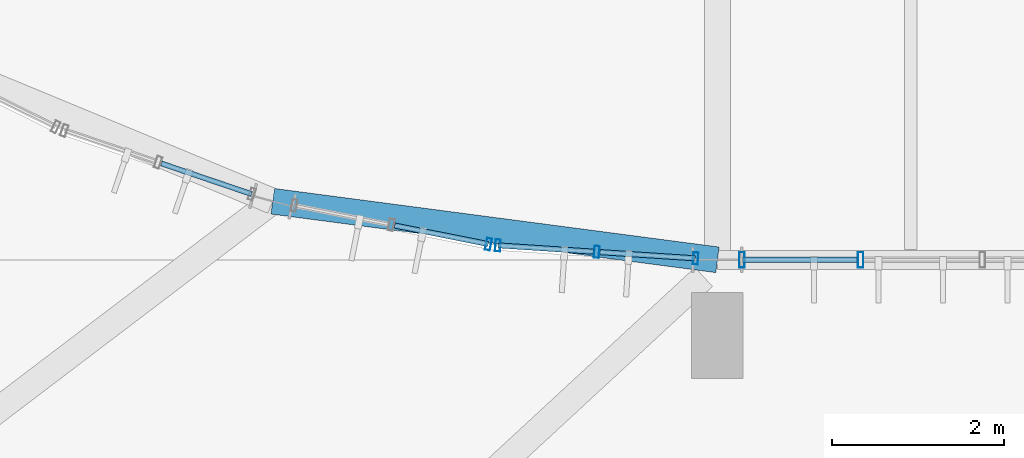
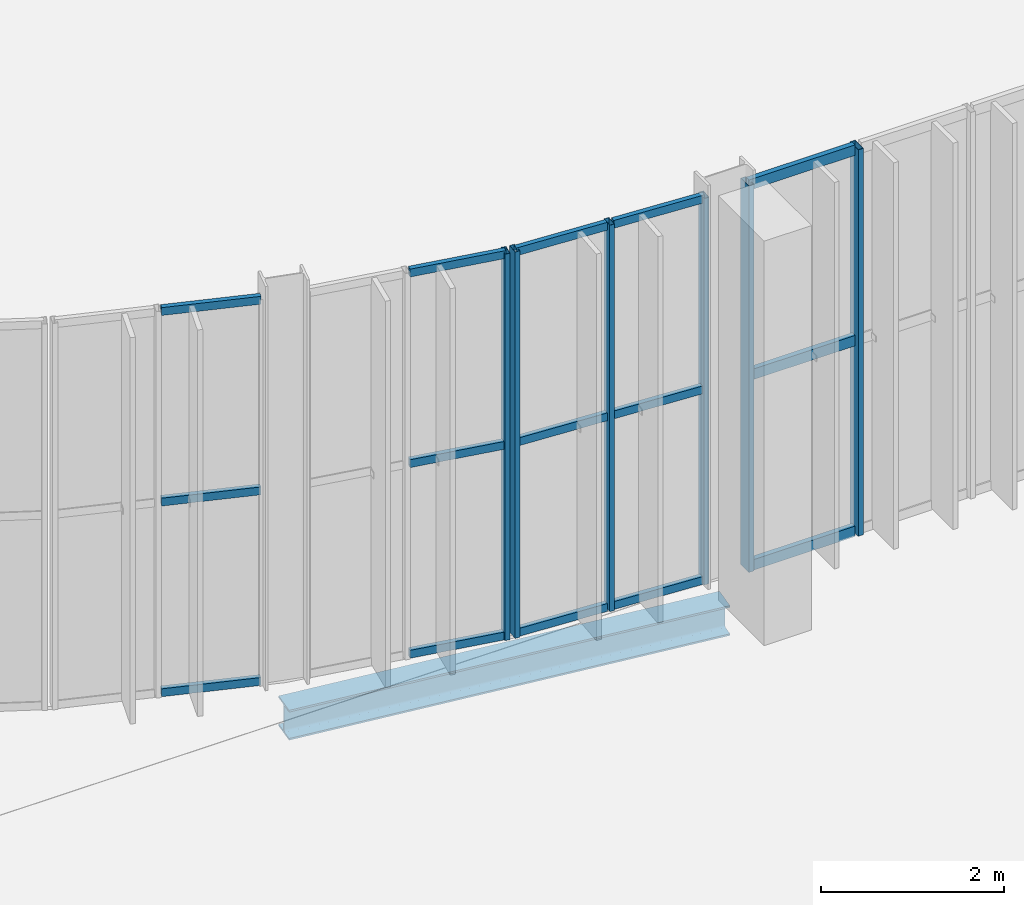
# One storey, part 33 of 158: 21 members, 1 beam, 4 elements without a shape of their own.
"""IFC4 building model written with IfcOpenShell, lengths in metres."""

import ifcopenshell
import ifcopenshell.guid

model = None  # the IFC model being written
_history = None  # IfcOwnerHistory: only IFC2X3 demands one
_inside = {}  # id of a spatial element -> (the spatial element, [elements in it])
_under = {}  # id of a project, library or spatial element -> (it, [spatial elements below it])
_declared = {}  # id of a project -> (the project, [libraries it declares])
_typed = {}  # id of a type object -> (the type object, [elements of that type])
_made_of = {}  # id of a material, layer set ... -> (it, [elements and type objects made of it])


def new_model(schema):
    """Start an empty IFC model of exactly this schema.

    Asked for "IFC4X3", IfcOpenShell would pick the latest addendum, in which some entities
    have other attributes; the version numbers below select the first issue.
    IFC2X3 requires an IfcOwnerHistory on every rooted entity: one is made here for all.
    """
    global model, _history
    if schema == "IFC4X3":
        model = ifcopenshell.file(schema_version=(4, 3, 0, 0))
    else:
        model = ifcopenshell.file(schema=schema)
    _inside.clear()
    _under.clear()
    _declared.clear()
    _typed.clear()
    _made_of.clear()
    _history = None
    if model.schema == "IFC2X3":
        org = make("IfcOrganization", Name="unknown")
        user = make(
            "IfcPersonAndOrganization",
            ThePerson=make("IfcPerson", FamilyName="unknown"),
            TheOrganization=org,
        )
        app = make(
            "IfcApplication",
            ApplicationDeveloper=org,
            Version="unknown",
            ApplicationFullName="unknown",
            ApplicationIdentifier="unknown",
        )
        _history = make(
            "IfcOwnerHistory",
            OwningUser=user,
            OwningApplication=app,
            ChangeAction="ADDED",
            CreationDate=0,
        )
    return model


def make(cls, **values):
    """One entity of the class cls with the attributes given. An attribute that is None is left unset."""
    return model.create_entity(
        cls, **{name: value for name, value in values.items() if value is not None}
    )


def rooted(cls, **values):
    """An entity with a GlobalId (a new one), such as an element, a storey or a relation."""
    return make(cls, GlobalId=ifcopenshell.guid.new(), OwnerHistory=_history, **values)


def si_unit(unit_type, name, prefix=None):
    """IfcSIUnit, for example si_unit("LENGTHUNIT", "METRE", prefix="MILLI")."""
    return make("IfcSIUnit", UnitType=unit_type, Prefix=prefix, Name=name)


def derived_unit(unit_type, elements):
    """IfcDerivedUnit: a product of units, each with its exponent."""
    return make(
        "IfcDerivedUnit",
        Elements=[
            make("IfcDerivedUnitElement", Unit=unit, Exponent=power)
            for unit, power in elements
        ],
        UnitType=unit_type,
    )


def assignment(units):
    """IfcUnitAssignment: the units of a project."""
    return None if units is None else make("IfcUnitAssignment", Units=units)


def point(xyz):
    """IfcCartesianPoint."""
    return None if xyz is None else make("IfcCartesianPoint", Coordinates=xyz)


def direction(xyz):
    """IfcDirection."""
    return None if xyz is None else make("IfcDirection", DirectionRatios=xyz)


def frame(location, z_axis=None, x_axis=None):
    """IfcAxis2Placement3D, a coordinate frame: its origin and axes. An axis left out is left unset."""
    return make(
        "IfcAxis2Placement3D",
        Location=point(location),
        Axis=direction(z_axis),
        RefDirection=direction(x_axis),
    )


def frame_2d(location, x_axis=None):
    """IfcAxis2Placement2D, a coordinate frame in the plane: its origin and x axis."""
    return make(
        "IfcAxis2Placement2D", Location=point(location), RefDirection=direction(x_axis)
    )


def origin():
    """The frame at (0, 0, 0) with its axes left unset."""
    return frame((0.0, 0.0, 0.0))


def origin_2d():
    """The frame at (0, 0) in the plane with its x axis left unset."""
    return frame_2d((0.0, 0.0))


def place(relative_to, where):
    """IfcLocalPlacement: puts the frame where relative to a parent placement (None: the world)."""
    return make(
        "IfcLocalPlacement", PlacementRelTo=relative_to, RelativePlacement=where
    )


def context(
    kind, dimensions, precision=None, world=None, true_north=None, identifier=None
):
    """IfcGeometricRepresentationContext, for example the 3D "Model" context."""
    return make(
        "IfcGeometricRepresentationContext",
        ContextIdentifier=identifier,
        ContextType=kind,
        CoordinateSpaceDimension=dimensions,
        Precision=precision,
        WorldCoordinateSystem=world,
        TrueNorth=true_north,
    )


def subcontext(parent, identifier, kind, view, scale=None):
    """IfcGeometricRepresentationSubContext, for example "Body" below "Model"."""
    return make(
        "IfcGeometricRepresentationSubContext",
        ContextIdentifier=identifier,
        ContextType=kind,
        ParentContext=parent,
        TargetScale=scale,
        TargetView=view,
    )


def project(units=None, contexts=None):
    """IfcProject with its units and contexts."""
    return rooted(
        "IfcProject",
        Name="project",
        RepresentationContexts=contexts,
        UnitsInContext=assignment(units),
    )


def spatial(cls, under=None, at=None, **own):
    """A site, building, storey or space (cls), placed at a placement, below another one or the project."""
    s = rooted(cls, ObjectPlacement=at, **own)
    if under is not None:
        _under.setdefault(under.id(), (under, []))[1].append(s)
    return s


def profile(cls, at=None, kind="AREA", **sizes):
    """A parametric profile (cls). Its sizes go by their IFC names, for example OverallWidth=200.0."""
    return make(cls, ProfileType=kind, Position=at, **sizes)


def hollow_rectangle(**sizes):
    """IfcRectangleHollowProfileDef."""
    return profile("IfcRectangleHollowProfileDef", **sizes)


def i_section(**sizes):
    """IfcIShapeProfileDef."""
    return profile("IfcIShapeProfileDef", **sizes)


def extrude(swept, where, along, depth):
    """IfcExtrudedAreaSolid: the profile swept, set in the frame where, extruded along a direction by depth."""
    return make(
        "IfcExtrudedAreaSolid",
        SweptArea=swept,
        Position=where,
        ExtrudedDirection=direction(along),
        Depth=depth,
    )


def shape(context_of_items, identifier, shape_type, items):
    """IfcShapeRepresentation: the items that make up one representation, for example the "Body"."""
    return make(
        "IfcShapeRepresentation",
        ContextOfItems=context_of_items,
        RepresentationIdentifier=identifier,
        RepresentationType=shape_type,
        Items=items,
    )


def material(Name=None, Category=None):
    """IfcMaterial."""
    return make("IfcMaterial", Name=Name, Category=Category)


def material_profile(
    of_material, cross_section, Name=None, Category=None, Priority=None
):
    """IfcMaterialProfile: a cross section and its material."""
    return make(
        "IfcMaterialProfile",
        Name=Name,
        Material=of_material,
        Profile=cross_section,
        Priority=Priority,
        Category=Category,
    )


def profile_set(profiles, Name=None, composite=None):
    """IfcMaterialProfileSet."""
    return make(
        "IfcMaterialProfileSet",
        Name=Name,
        MaterialProfiles=profiles,
        CompositeProfile=composite,
    )


def made_of(thing, what):
    """Note that an element or type object is made of a material, layer set ...; save() writes the relation."""
    if what is not None:
        _made_of.setdefault(what.id(), (what, []))[1].append(thing)
    return thing


def type_object(cls, material=None, **own):
    """A type object (cls), such as IfcWallType, which elements share."""
    return made_of(rooted(cls, **own), material)


def element(
    cls,
    number,
    at=None,
    inside=None,
    cuts=None,
    type_object=None,
    material=None,
    context=None,
    identifier="Body",
    shape_type=None,
    held_by="IfcProductDefinitionShape",
    body=None,
    shapes=None,
    **own,
):
    """One element of the class cls, such as IfcWall. Its Tag is "e" and its number.

    at: its placement. inside: the storey or other place that contains it. cuts: it is an
    opening in that element (IfcRelVoidsElement). A single representation is given by context,
    identifier, shape_type and body (its items); several are given by shapes. held_by: the class
    of the entity that holds the representations. save() writes the other relations.
    """
    e = rooted(cls, Tag="e%d" % number, ObjectPlacement=at, **own)
    if body is not None:
        shapes = [shape(context, identifier, shape_type, body)]
    if shapes is not None:
        e.Representation = make(held_by, Representations=shapes)
    if inside is not None:
        _inside.setdefault(inside.id(), (inside, []))[1].append(e)
    if cuts is not None:
        rooted(
            "IfcRelVoidsElement", RelatingBuildingElement=cuts, RelatedOpeningElement=e
        )
    if type_object is not None:
        _typed.setdefault(type_object.id(), (type_object, []))[1].append(e)
    return made_of(e, material)


def aggregate(whole, parts):
    """IfcRelAggregates: a whole, such as a stair, and the parts it consists of."""
    return rooted("IfcRelAggregates", RelatingObject=whole, RelatedObjects=parts)


def save(model, path):
    """Write the relations noted so far, then the file.

    IfcRelAggregates (storeys below a building ...), IfcRelContainedInSpatialStructure (elements
    in a storey), IfcRelDefinesByType, IfcRelAssociatesMaterial and IfcRelDeclares: one each for
    every whole, place, type object, material and project.
    """
    for whole, parts in _under.values():
        aggregate(whole, parts)
    for where, things in _inside.values():
        rooted(
            "IfcRelContainedInSpatialStructure",
            RelatedElements=things,
            RelatingStructure=where,
        )
    for kind, things in _typed.values():
        rooted("IfcRelDefinesByType", RelatedObjects=things, RelatingType=kind)
    for what, things in _made_of.values():
        rooted("IfcRelAssociatesMaterial", RelatedObjects=things, RelatingMaterial=what)
    for by, libraries in _declared.values():
        rooted("IfcRelDeclares", RelatingContext=by, RelatedDefinitions=libraries)
    model.write(path)


model = new_model("IFC4")

# Units and contexts
model_context = context("Model", 3, precision=1e-05, world=origin(), true_north=direction((0.0, 1.0)))
body_context = subcontext(model_context, "Body", "Model", "MODEL_VIEW")
ifc_project = project(units=[si_unit("LENGTHUNIT", "METRE"), si_unit("AREAUNIT", "SQUARE_METRE"), si_unit("VOLUMEUNIT", "CUBIC_METRE"), si_unit("PLANEANGLEUNIT", "RADIAN"), si_unit("MASSUNIT", "GRAM", prefix="KILO"), si_unit("THERMODYNAMICTEMPERATUREUNIT", "KELVIN"), si_unit("TIMEUNIT", "SECOND"), derived_unit("THERMALTRANSMITTANCEUNIT", [(si_unit("MASSUNIT", "GRAM", prefix="KILO"), 1), (si_unit("THERMODYNAMICTEMPERATUREUNIT", "KELVIN"), -1), (si_unit("TIMEUNIT", "SECOND"), -3)])], contexts=[model_context])

# Site, building, storey
site_placement = place(None, origin())
site = spatial("IfcSite", under=ifc_project, at=site_placement, CompositionType="ELEMENT")
building_placement = place(site_placement, origin())
building = spatial("IfcBuilding", under=site, at=building_placement, Name="Cambertide Market Hall", CompositionType="ELEMENT")
storey_placement = place(building_placement, origin())
storey = spatial("IfcBuildingStorey", under=building, at=storey_placement, Name="L01", CompositionType="ELEMENT", Elevation=0.0)

# Curtain wall, member
ifc_material_1 = material(Name="Marine Anodized Aluminium 6063-T6 AA25", Category="aluminium")
curtain_wall_type_1 = type_object("IfcCurtainWallType", Name="Lantern Apse Chord Lower Curtain Wall", PredefinedType="USERDEFINED", material=ifc_material_1)
curtain_wall_1_placement = place(storey_placement, origin())
curtain_wall_1 = element("IfcCurtainWall", 1, at=curtain_wall_1_placement, inside=storey, type_object=curtain_wall_type_1, Name="Level 1 Curtain Wall CW-V1AW-L01-23", ObjectType="UNITIZED CURTAIN WALL", PredefinedType="USERDEFINED")
ifc_material_2 = material(Name="Champagne Marine Anodized Aluminium 6063-T6 AA25", Category="aluminium")
ifc_material_profile_1 = material_profile(ifc_material_2, hollow_rectangle(XDim=0.06005859375, YDim=0.139892578125, WallThickness=0.00341796875, at=origin_2d()), Name="ALU MULLION 60x140")
ifc_profile_set_1 = profile_set([ifc_material_profile_1], Name="Champagne Marine Anodized Aluminium 6063-T6 AA25")
member_type_1 = type_object("IfcMemberType", Name="Curtain Wall Mullion ALU MULLION 60x140", PredefinedType="MULLION", material=ifc_profile_set_1)
member_1_placement = place(storey_placement, frame((39.33544921875, 52.181884765625, 0.0), z_axis=(0.0, 0.0, 1.0), x_axis=(-0.980785330885, 0.195090068226, 0.0)))
member_1 = element("IfcMember", 2, at=member_1_placement, type_object=member_type_1, Name="CW-V1AW-L01-23 Mullion 1", PredefinedType="MULLION", context=body_context, shape_type="SweptSolid", body=[
    extrude(hollow_rectangle(XDim=0.06005859375, YDim=0.139892578125, WallThickness=0.00341796875, at=origin_2d()), origin(), (0.0, 0.0, 1.0), 5.159912109375),
])

# Curtain wall, members
curtain_wall_2_placement = place(storey_placement, origin())
curtain_wall_2 = element("IfcCurtainWall", 3, at=curtain_wall_2_placement, inside=storey, type_object=curtain_wall_type_1, Name="Level 1 Curtain Wall CW-V1AW-L01-24", ObjectType="UNITIZED CURTAIN WALL", PredefinedType="USERDEFINED")
member_2_placement = place(storey_placement, frame((41.74560546875, 52.0166015625, 0.0), z_axis=(0.0, 0.0, 1.0), x_axis=(-0.997858917819, 0.065403211921, 0.0)))
member_2 = element("IfcMember", 4, at=member_2_placement, type_object=member_type_1, Name="CW-V1AW-L01-24 Mullion 1", PredefinedType="MULLION", context=body_context, shape_type="SweptSolid", body=[
    extrude(hollow_rectangle(XDim=0.06005859375, YDim=0.139892578125, WallThickness=0.00341796875, at=origin_2d()), origin(), (0.0, 0.0, 1.0), 5.159912109375),
])
member_3_placement = place(storey_placement, frame((40.594970703125, 52.092041015625, 0.0), z_axis=(0.0, 0.0, 1.0), x_axis=(-0.997858917819, 0.065403211921, 0.0)))
member_3 = element("IfcMember", 5, at=member_3_placement, type_object=member_type_1, Name="CW-V1AW-L01-24 Mullion 2", PredefinedType="MULLION", context=body_context, shape_type="SweptSolid", body=[
    extrude(hollow_rectangle(XDim=0.06005859375, YDim=0.139892578125, WallThickness=0.00341796875, at=origin_2d()), origin(), (0.0, 0.0, 1.0), 5.159912109375),
])
member_4_placement = place(storey_placement, frame((39.4443359375, 52.16748046875, 0.0), z_axis=(0.0, 0.0, 1.0), x_axis=(-0.997858917819, 0.065403211921, 0.0)))
member_4 = element("IfcMember", 6, at=member_4_placement, type_object=member_type_1, Name="CW-V1AW-L01-24 Mullion 3", PredefinedType="MULLION", context=body_context, shape_type="SweptSolid", body=[
    extrude(hollow_rectangle(XDim=0.06005859375, YDim=0.139892578125, WallThickness=0.00341796875, at=origin_2d()), origin(), (0.0, 0.0, 1.0), 5.159912109375),
])

ifc_material_3 = material(Name="Marine Anodized Aluminium 6063-T6 AA25", Category="aluminium")
curtain_wall_type_2 = type_object("IfcCurtainWallType", Name="Lantern Straight Lower Curtain Wall", PredefinedType="USERDEFINED", material=ifc_material_3)
curtain_wall_3_placement = place(storey_placement, origin())
curtain_wall_3 = element("IfcCurtainWall", 7, at=curtain_wall_3_placement, inside=storey, type_object=curtain_wall_type_2, Name="Level 1 Curtain Wall CW-V1S-L01-1", ObjectType="UNITIZED CURTAIN WALL", PredefinedType="USERDEFINED")
ifc_material_4 = material(Name="Champagne Marine Anodized Aluminium 6063-T6 AA25", Category="aluminium")
ifc_material_profile_2 = material_profile(ifc_material_4, hollow_rectangle(XDim=0.06494140625, YDim=0.179931640625, WallThickness=0.00390625, at=origin_2d()), Name="ALU MULLION 65x180")
ifc_profile_set_2 = profile_set([ifc_material_profile_2], Name="Champagne Marine Anodized Aluminium 6063-T6 AA25")
member_type_2 = type_object("IfcMemberType", Name="Curtain Wall Mullion ALU MULLION 65x180", PredefinedType="MULLION", material=ifc_profile_set_2)
member_5_placement = place(storey_placement, frame((43.666748046875, 52.0, 0.0), z_axis=(0.0, 0.0, 1.0), x_axis=(-1.0, 0.0, 0.0)))
member_5 = element("IfcMember", 8, at=member_5_placement, type_object=member_type_2, Name="CW-V1S-L01-1 Mullion 6", PredefinedType="MULLION", context=body_context, shape_type="SweptSolid", body=[
    extrude(hollow_rectangle(XDim=0.06494140625, YDim=0.179931640625, WallThickness=0.00390625, at=origin_2d()), origin(), (0.0, 0.0, 1.0), 5.159912109375),
])
member_6_placement = place(storey_placement, frame((42.284912109375, 52.0, 0.0), z_axis=(0.0, 0.0, 1.0), x_axis=(-1.0, 0.0, 0.0)))
member_6 = element("IfcMember", 9, at=member_6_placement, type_object=member_type_2, Name="CW-V1S-L01-1 Mullion 7", PredefinedType="MULLION", context=body_context, shape_type="SweptSolid", body=[
    extrude(hollow_rectangle(XDim=0.06494140625, YDim=0.179931640625, WallThickness=0.00390625, at=origin_2d()), origin(), (0.0, 0.0, 1.0), 5.159912109375),
])

curtain_wall_4_placement = place(storey_placement, origin())
curtain_wall_4 = element("IfcCurtainWall", 10, at=curtain_wall_4_placement, inside=storey, type_object=curtain_wall_type_1, Name="Level 1 Curtain Wall CW-V1AW-L01-22", ObjectType="UNITIZED CURTAIN WALL", PredefinedType="USERDEFINED")
ifc_material_5 = material(Name="Champagne Marine Anodized Aluminium 6063-T6 AA25", Category="aluminium")
ifc_material_profile_3 = material_profile(ifc_material_5, hollow_rectangle(XDim=0.06005859375, YDim=0.10498046875, WallThickness=0.0029296875, at=origin_2d()), Name="ALU TRANSOM 60x105")
ifc_profile_set_3 = profile_set([ifc_material_profile_3], Name="Champagne Marine Anodized Aluminium 6063-T6 AA25")
member_type_3 = type_object("IfcMemberType", Name="Curtain Wall Transom ALU TRANSOM 60x105", PredefinedType="USERDEFINED", material=ifc_profile_set_3)
member_7_placement = place(storey_placement, frame((36.577392578125, 52.76513671875, 0.034912109375), z_axis=(-0.946928413037, 0.321444521782, 0.0), x_axis=(-0.321444521782, -0.946928413037, 0.0)))
member_7 = element("IfcMember", 11, at=member_7_placement, type_object=member_type_3, Name="CW-V1AW-L01-22 Transom 1-1", ObjectType="TRANSOM", PredefinedType="USERDEFINED", context=body_context, shape_type="SweptSolid", body=[
    extrude(hollow_rectangle(XDim=0.06005859375, YDim=0.10498046875, WallThickness=0.0029296875, at=origin_2d()), origin(), (0.0, 0.0, 1.0), 1.108154296875),
])
member_8_placement = place(storey_placement, frame((36.577392578125, 52.76513671875, 2.580078125), z_axis=(-0.946928413037, 0.321444521782, 0.0), x_axis=(-0.321444521782, -0.946928413037, 0.0)))
member_8 = element("IfcMember", 12, at=member_8_placement, type_object=member_type_3, Name="CW-V1AW-L01-22 Transom 2-1", ObjectType="TRANSOM", PredefinedType="USERDEFINED", context=body_context, shape_type="SweptSolid", body=[
    extrude(hollow_rectangle(XDim=0.06005859375, YDim=0.10498046875, WallThickness=0.0029296875, at=origin_2d()), origin(), (0.0, 0.0, 1.0), 1.108154296875),
])
member_9_placement = place(storey_placement, frame((36.577392578125, 52.76513671875, 5.125), z_axis=(-0.946928413037, 0.321444521782, 0.0), x_axis=(-0.321444521782, -0.946928413037, 0.0)))
member_9 = element("IfcMember", 13, at=member_9_placement, type_object=member_type_3, Name="CW-V1AW-L01-22 Transom 3-1", ObjectType="TRANSOM", PredefinedType="USERDEFINED", context=body_context, shape_type="SweptSolid", body=[
    extrude(hollow_rectangle(XDim=0.06005859375, YDim=0.10498046875, WallThickness=0.0029296875, at=origin_2d()), origin(), (0.0, 0.0, 1.0), 1.108154296875),
])
aggregate(curtain_wall_4, [member_7, member_8, member_9])

# Member
member_10_placement = place(storey_placement, frame((39.33056640625, 52.182861328125, 0.034912109375), z_axis=(-0.980800411785, 0.195014235999, 0.0), x_axis=(-0.195014235999, -0.980800411785, 0.0)))
member_10 = element("IfcMember", 14, at=member_10_placement, type_object=member_type_3, Name="CW-V1AW-L01-23 Transom 1-1", ObjectType="TRANSOM", PredefinedType="USERDEFINED", context=body_context, shape_type="SweptSolid", body=[
    extrude(hollow_rectangle(XDim=0.06005859375, YDim=0.10498046875, WallThickness=0.0029296875, at=origin_2d()), origin(), (0.0, 0.0, 1.0), 1.10791015625),
])

member_11_placement = place(storey_placement, frame((39.33056640625, 52.182861328125, 2.580078125), z_axis=(-0.980800411785, 0.195014235999, 0.0), x_axis=(-0.195014235999, -0.980800411785, 0.0)))
member_11 = element("IfcMember", 15, at=member_11_placement, type_object=member_type_3, Name="CW-V1AW-L01-23 Transom 2-1", ObjectType="TRANSOM", PredefinedType="USERDEFINED", context=body_context, shape_type="SweptSolid", body=[
    extrude(hollow_rectangle(XDim=0.06005859375, YDim=0.10498046875, WallThickness=0.0029296875, at=origin_2d()), origin(), (0.0, 0.0, 1.0), 1.10791015625),
])

member_12_placement = place(storey_placement, frame((39.33056640625, 52.182861328125, 5.125), z_axis=(-0.980800411785, 0.195014235999, 0.0), x_axis=(-0.195014235999, -0.980800411785, 0.0)))
member_12 = element("IfcMember", 16, at=member_12_placement, type_object=member_type_3, Name="CW-V1AW-L01-23 Transom 3-1", ObjectType="TRANSOM", PredefinedType="USERDEFINED", context=body_context, shape_type="SweptSolid", body=[
    extrude(hollow_rectangle(XDim=0.06005859375, YDim=0.10498046875, WallThickness=0.0029296875, at=origin_2d()), origin(), (0.0, 0.0, 1.0), 1.10791015625),
])

aggregate(curtain_wall_1, [member_1, member_10, member_11, member_12])

member_13_placement = place(storey_placement, frame((41.740478515625, 52.01708984375, 0.034912109375), z_axis=(-0.997871075842, 0.065217451634, 0.0), x_axis=(-0.065217451634, -0.997871075842, 0.0)))
member_13 = element("IfcMember", 17, at=member_13_placement, type_object=member_type_3, Name="CW-V1AW-L01-24 Transom 1-1", ObjectType="TRANSOM", PredefinedType="USERDEFINED", context=body_context, shape_type="SweptSolid", body=[
    extrude(hollow_rectangle(XDim=0.06005859375, YDim=0.10498046875, WallThickness=0.0029296875, at=origin_2d()), origin(), (0.0, 0.0, 1.0), 1.108154296875),
])

member_14_placement = place(storey_placement, frame((40.554931640625, 52.0947265625, 0.034912109375), z_axis=(-0.997855769469, 0.065451228695, 0.0), x_axis=(-0.065451228695, -0.997855769469, 0.0)))
member_14 = element("IfcMember", 18, at=member_14_placement, type_object=member_type_3, Name="CW-V1AW-L01-24 Transom 1-2", ObjectType="TRANSOM", PredefinedType="USERDEFINED", context=body_context, shape_type="SweptSolid", body=[
    extrude(hollow_rectangle(XDim=0.06005859375, YDim=0.10498046875, WallThickness=0.0029296875, at=origin_2d()), origin(), (0.0, 0.0, 1.0), 1.10791015625),
])

member_15_placement = place(storey_placement, frame((41.740478515625, 52.01708984375, 2.580078125), z_axis=(-0.997871075842, 0.065217451634, 0.0), x_axis=(-0.065217451634, -0.997871075842, 0.0)))
member_15 = element("IfcMember", 19, at=member_15_placement, type_object=member_type_3, Name="CW-V1AW-L01-24 Transom 2-1", ObjectType="TRANSOM", PredefinedType="USERDEFINED", context=body_context, shape_type="SweptSolid", body=[
    extrude(hollow_rectangle(XDim=0.06005859375, YDim=0.10498046875, WallThickness=0.0029296875, at=origin_2d()), origin(), (0.0, 0.0, 1.0), 1.108154296875),
])

member_16_placement = place(storey_placement, frame((40.554931640625, 52.0947265625, 2.580078125), z_axis=(-0.997855769469, 0.065451228695, 0.0), x_axis=(-0.065451228695, -0.997855769469, 0.0)))
member_16 = element("IfcMember", 20, at=member_16_placement, type_object=member_type_3, Name="CW-V1AW-L01-24 Transom 2-2", ObjectType="TRANSOM", PredefinedType="USERDEFINED", context=body_context, shape_type="SweptSolid", body=[
    extrude(hollow_rectangle(XDim=0.06005859375, YDim=0.10498046875, WallThickness=0.0029296875, at=origin_2d()), origin(), (0.0, 0.0, 1.0), 1.10791015625),
])

member_17_placement = place(storey_placement, frame((41.740478515625, 52.01708984375, 5.125), z_axis=(-0.997871075842, 0.065217451634, 0.0), x_axis=(-0.065217451634, -0.997871075842, 0.0)))
member_17 = element("IfcMember", 21, at=member_17_placement, type_object=member_type_3, Name="CW-V1AW-L01-24 Transom 3-1", ObjectType="TRANSOM", PredefinedType="USERDEFINED", context=body_context, shape_type="SweptSolid", body=[
    extrude(hollow_rectangle(XDim=0.06005859375, YDim=0.10498046875, WallThickness=0.0029296875, at=origin_2d()), origin(), (0.0, 0.0, 1.0), 1.108154296875),
])

member_18_placement = place(storey_placement, frame((40.554931640625, 52.0947265625, 5.125), z_axis=(-0.997855769469, 0.065451228695, 0.0), x_axis=(-0.065451228695, -0.997855769469, 0.0)))
member_18 = element("IfcMember", 22, at=member_18_placement, type_object=member_type_3, Name="CW-V1AW-L01-24 Transom 3-2", ObjectType="TRANSOM", PredefinedType="USERDEFINED", context=body_context, shape_type="SweptSolid", body=[
    extrude(hollow_rectangle(XDim=0.06005859375, YDim=0.10498046875, WallThickness=0.0029296875, at=origin_2d()), origin(), (0.0, 0.0, 1.0), 1.10791015625),
])

aggregate(curtain_wall_2, [member_2, member_3, member_4, member_13, member_14, member_15, member_16, member_17, member_18])

ifc_material_6 = material(Name="Champagne Marine Anodized Aluminium 6063-T6 AA25", Category="aluminium")
ifc_material_profile_4 = material_profile(ifc_material_6, hollow_rectangle(XDim=0.06494140625, YDim=0.139892578125, WallThickness=0.00341796875, at=origin_2d()), Name="ALU TRANSOM 65x140")
ifc_profile_set_4 = profile_set([ifc_material_profile_4], Name="Champagne Marine Anodized Aluminium 6063-T6 AA25")
member_type_4 = type_object("IfcMemberType", Name="Curtain Wall Transom ALU TRANSOM 65x140", PredefinedType="USERDEFINED", material=ifc_profile_set_4)
member_19_placement = place(storey_placement, frame((43.626708984375, 52.0, 0.034912109375), z_axis=(-1.0, 0.0, 0.0), x_axis=(0.0, -1.0, 0.0)))
member_19 = element("IfcMember", 23, at=member_19_placement, type_object=member_type_4, Name="CW-V1S-L01-1 Transom 1-6", ObjectType="TRANSOM", PredefinedType="USERDEFINED", context=body_context, shape_type="SweptSolid", body=[
    extrude(hollow_rectangle(XDim=0.06494140625, YDim=0.139892578125, WallThickness=0.00341796875, at=origin_2d()), origin(), (0.0, 0.0, 1.0), 1.336669921875),
])

member_20_placement = place(storey_placement, frame((43.626708984375, 52.0, 2.580078125), z_axis=(-1.0, 0.0, 0.0), x_axis=(0.0, -1.0, 0.0)))
member_20 = element("IfcMember", 24, at=member_20_placement, type_object=member_type_4, Name="CW-V1S-L01-1 Transom 2-6", ObjectType="TRANSOM", PredefinedType="USERDEFINED", context=body_context, shape_type="SweptSolid", body=[
    extrude(hollow_rectangle(XDim=0.06494140625, YDim=0.139892578125, WallThickness=0.00341796875, at=origin_2d()), origin(), (0.0, 0.0, 1.0), 1.336669921875),
])

member_21_placement = place(storey_placement, frame((43.626708984375, 52.0, 5.125), z_axis=(-1.0, 0.0, 0.0), x_axis=(0.0, -1.0, 0.0)))
member_21 = element("IfcMember", 25, at=member_21_placement, type_object=member_type_4, Name="CW-V1S-L01-1 Transom 3-6", ObjectType="TRANSOM", PredefinedType="USERDEFINED", context=body_context, shape_type="SweptSolid", body=[
    extrude(hollow_rectangle(XDim=0.06494140625, YDim=0.139892578125, WallThickness=0.00341796875, at=origin_2d()), origin(), (0.0, 0.0, 1.0), 1.336669921875),
])

aggregate(curtain_wall_3, [member_5, member_6, member_19, member_20, member_21])

# Beam
ifc_material_7 = material(Name="Steel S355", Category="steel")
ifc_material_profile_5 = material_profile(ifc_material_7, i_section(OverallWidth=0.300048828125, OverallDepth=0.39990234375, WebThickness=0.013427734375, FlangeThickness=0.02392578125, FilletRadius=0.027099609375, at=origin_2d()), Name="HEB 400")
ifc_profile_set_5 = profile_set([ifc_material_profile_5], Name="Steel S355")
beam_type = type_object("IfcBeamType", Name="Steel Girder HEB 400", PredefinedType="BEAM", material=ifc_profile_set_5)
beam_placement = place(storey_placement, frame((36.82373046875, 52.681396484375, -0.510009765625), z_axis=(0.991446654043, -0.130512574825, 0.0), x_axis=(0.130512574825, 0.991446654043, 0.0)))
element("IfcBeam", 26, at=beam_placement, inside=storey, type_object=beam_type, Name="Level 1 Beam BM-V1AW-L01-12", PredefinedType="BEAM", context=body_context, shape_type="SweptSolid", body=[
    extrude(i_section(OverallWidth=0.300048828125, OverallDepth=0.39990234375, WebThickness=0.013427734375, FlangeThickness=0.02392578125, FilletRadius=0.027099609375, at=origin_2d()), origin(), (0.0, 0.0, 1.0), 5.220947265625),
])

save(model, "model.ifc")
